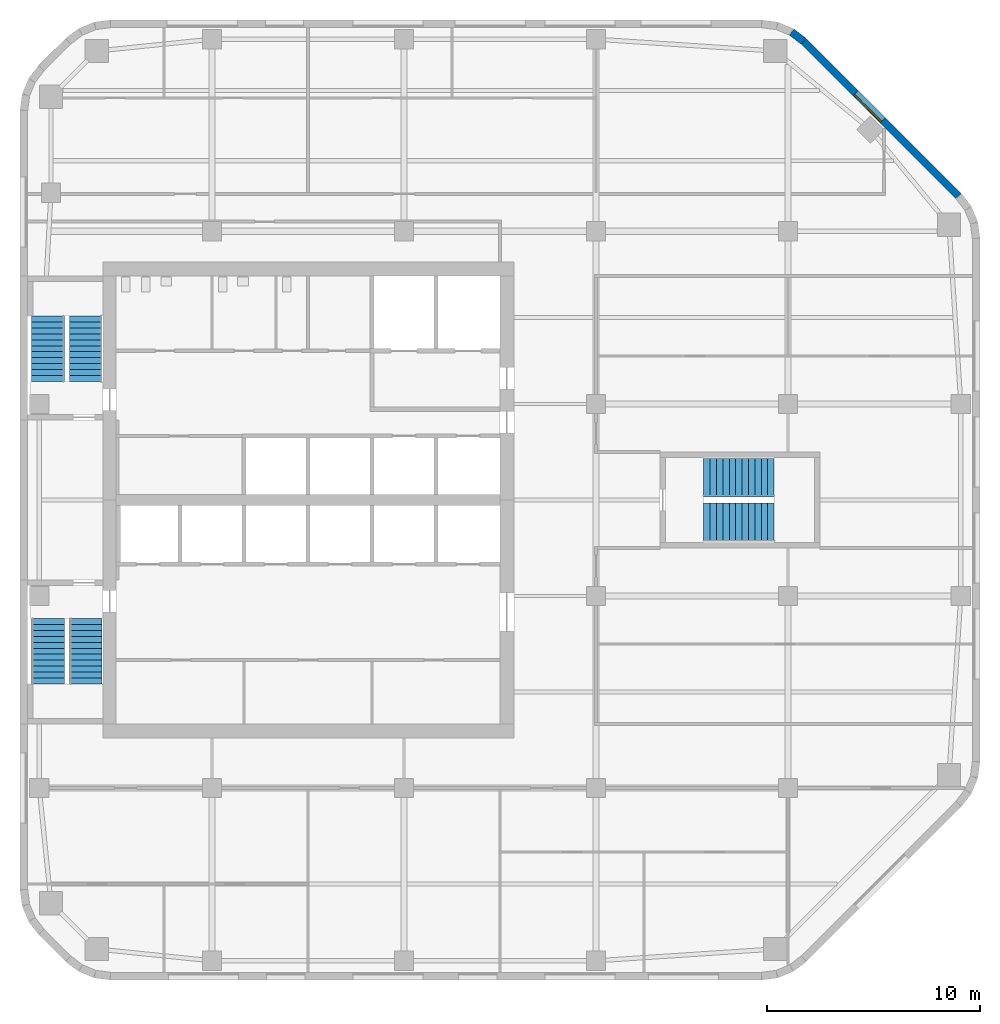
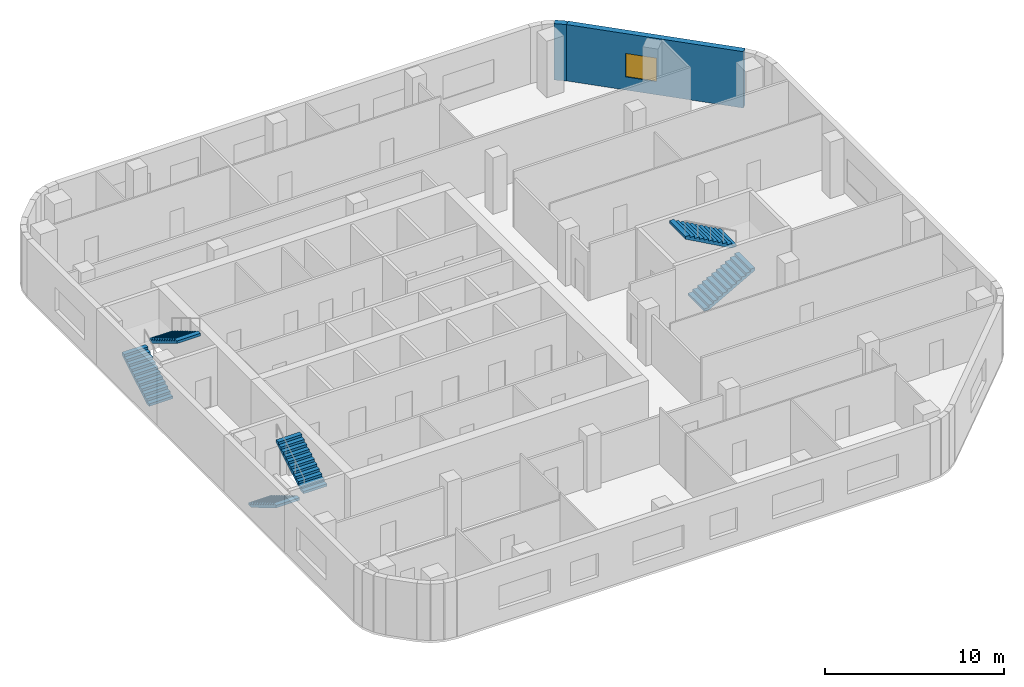
# One storey, part 6 of 8: 6 stair flights, 2 walls, 1 window, 1 opening, 3 elements without a shape of their own.
"""IFC4 building model written with IfcOpenShell, lengths in metres."""

from ifc_helpers import new_model, si_unit, direction, frame, frame_2d, origin, place, context, subcontext, project, spatial, polyline, rectangle, outline, extrude, material, layer, layer_set, type_object, element, fill, aggregate, save


model = new_model("IFC4")

# Units and contexts
model_context = context("Model", 3, precision=1e-05, world=origin(), true_north=direction((0.0, 1.0)))
body_context = subcontext(model_context, "Body", "Model", "MODEL_VIEW")
ifc_project = project(units=[si_unit("LENGTHUNIT", "METRE"), si_unit("AREAUNIT", "SQUARE_METRE"), si_unit("VOLUMEUNIT", "CUBIC_METRE"), si_unit("PLANEANGLEUNIT", "RADIAN"), si_unit("MASSUNIT", "GRAM", prefix="KILO")], contexts=[model_context])

# Site, building, storey
site_placement = place(None, origin())
site = spatial("IfcSite", under=ifc_project, at=site_placement, CompositionType="ELEMENT")
building_placement = place(site_placement, origin())
building = spatial("IfcBuilding", under=site, at=building_placement, Name="Cinnabar Reach Civic Tower", CompositionType="ELEMENT")
storey_placement = place(building_placement, frame((0.0, 0.0, 157.0)))
storey = spatial("IfcBuildingStorey", under=building, at=storey_placement, Name="L37", CompositionType="ELEMENT", Elevation=157.0)

# Wall
ifc_material_1 = material(Name="Facing brick with insulated backing", Category="masonry")
ifc_layer_1 = layer(ifc_material_1, 0.36)
ifc_layer_set_1 = layer_set([ifc_layer_1], Name="Brick corner wall")
wall_type_1 = type_object("IfcWallType", Name="Brick corner wall", PredefinedType="STANDARD", material=ifc_layer_set_1)
wall_1_placement = place(storey_placement, frame((36.7413, 52.9998, 0.0), z_axis=(0.0, 0.0, 1.0), x_axis=(-0.793321924995, 0.608802368033, 0.0)))
element("IfcWall", 1, at=wall_1_placement, inside=storey, type_object=wall_type_1, Name="Brick corner wall", PredefinedType="STANDARD", context=body_context, shape_type="SweptSolid", body=[
    extrude(rectangle(XDim=0.7132, YDim=0.36, at=frame_2d((0.3566, 0.0))), origin(), (0.0, 0.0, 1.0), 3.85),
])

# Wall, opening, window
ifc_layer_2 = layer(ifc_material_1, 0.36)
ifc_layer_set_2 = layer_set([ifc_layer_2], Name="Brick pier and spandrel wall")
wall_type_2 = type_object("IfcWallType", Name="Brick pier and spandrel wall", PredefinedType="STANDARD", material=ifc_layer_set_2)
wall_2_placement = place(storey_placement, frame((43.994, 45.7514, 0.0), z_axis=(0.0, 0.0, 1.0), x_axis=(-0.707106781187, 0.707106781187, 0.0)))
wall_2 = element("IfcWall", 2, at=wall_2_placement, inside=storey, type_object=wall_type_2, Name="Brick facade wall", PredefinedType="STANDARD", context=body_context, shape_type="SweptSolid", body=[
    extrude(rectangle(XDim=10.2426, YDim=0.36, at=frame_2d((5.1213, 0.0))), origin(), (0.0, 0.0, 1.0), 3.85),
])
opening_placement = place(wall_2_placement, frame((5.0213, 0.0, 0.9)))
opening = element("IfcOpeningElement", 3, at=opening_placement, cuts=wall_2, Name="Opening W1772", PredefinedType="OPENING", context=body_context, shape_type="SweptSolid", body=[
    extrude(rectangle(XDim=1.8, YDim=1.6, at=frame_2d((0.9, 0.8))), frame((0.0, 0.19, 0.0), z_axis=(0.0, -1.0, 0.0), x_axis=(1.0, 0.0, 0.0)), (0.0, 0.0, 1.0), 0.38),
])
ifc_material_2 = material(Name="Clear double glazing in aluminium frame", Category="aluminium")
window_type = type_object("IfcWindowType", Name="Deep-set window D", PartitioningType="SINGLE_PANEL", PredefinedType="WINDOW", material=ifc_material_2)
window_placement = place(opening_placement, origin())
window = element("IfcWindow", 4, at=window_placement, inside=storey, type_object=window_type, Name="Window northeast face", OverallHeight=1.6, OverallWidth=1.8, PartitioningType="SINGLE_PANEL", PredefinedType="WINDOW", context=body_context, shape_type="SweptSolid", body=[
    extrude(rectangle(XDim=1.8, YDim=1.6, at=frame_2d((0.9, 0.8))), frame((0.0, 0.13, 0.0), z_axis=(0.0, -1.0, 0.0), x_axis=(1.0, 0.0, 0.0)), (0.0, 0.0, 1.0), 0.06),
])
fill(opening, window)

# Stair, stair flights
ifc_material_3 = material(Name="Concrete C40/50", Category="concrete")
stair_type = type_object("IfcStairType", Name="T1 Exit stair, half-turn", PredefinedType="HALF_TURN_STAIR", material=ifc_material_3)
stair_1_placement = place(storey_placement, origin())
stair_1 = element("IfcStair", 5, at=stair_1_placement, inside=storey, type_object=stair_type, Name="Stair T1-S1", PredefinedType="HALF_TURN_STAIR")
stair_flight_type = type_object("IfcStairFlightType", Name="T1 Stair flight, concrete", PredefinedType="STRAIGHT", material=ifc_material_3)
stair_flight_1_placement = place(storey_placement, frame((1.3125, 25.95, 0.0), z_axis=(0.0, 0.0, 1.0), x_axis=(0.0, -1.0, 0.0)))
stair_flight_1 = element("IfcStairFlight", 6, at=stair_flight_1_placement, type_object=stair_flight_type, Name="T1-S1 flight 1", NumberOfRisers=12, NumberOfTreads=11, PredefinedType="STRAIGHT", RiserHeight=0.166666667, TreadLength=0.28, context=body_context, shape_type="SweptSolid", body=[
    extrude(outline(polyline([(0.0, 0.0), (0.0, 0.1667), (0.28, 0.1667), (0.28, 0.3333), (0.56, 0.3333), (0.56, 0.5), (0.84, 0.5), (0.84, 0.6667), (1.12, 0.6667), (1.12, 0.8333), (1.4, 0.8333), (1.4, 1.0), (1.68, 1.0), (1.68, 1.1667), (1.96, 1.1667), (1.96, 1.3333), (2.24, 1.3333), (2.24, 1.5), (2.52, 1.5), (2.52, 1.6667), (2.8, 1.6667), (2.8, 1.8333), (3.08, 1.8333), (3.08, 2.0), (3.08, 1.6588), (0.2933, 0.0), (0.0, 0.0)])), frame((0.0, 0.7625, 0.0), z_axis=(0.0, -1.0, 0.0), x_axis=(1.0, 0.0, 0.0)), (0.0, 0.0, 1.0), 1.525),
])
stair_flight_2_placement = place(storey_placement, frame((3.0875, 22.87, 2.0), z_axis=(0.0, 0.0, 1.0), x_axis=(0.0, 1.0, 0.0)))
stair_flight_2 = element("IfcStairFlight", 7, at=stair_flight_2_placement, type_object=stair_flight_type, Name="T1-S1 flight 2", NumberOfRisers=12, NumberOfTreads=11, PredefinedType="STRAIGHT", RiserHeight=0.166666667, TreadLength=0.28, context=body_context, shape_type="SweptSolid", body=[
    extrude(outline(polyline([(0.0, 0.0), (0.0, 0.1667), (0.28, 0.1667), (0.28, 0.3333), (0.56, 0.3333), (0.56, 0.5), (0.84, 0.5), (0.84, 0.6667), (1.12, 0.6667), (1.12, 0.8333), (1.4, 0.8333), (1.4, 1.0), (1.68, 1.0), (1.68, 1.1667), (1.96, 1.1667), (1.96, 1.3333), (2.24, 1.3333), (2.24, 1.5), (2.52, 1.5), (2.52, 1.6667), (2.8, 1.6667), (2.8, 1.8333), (3.08, 1.8333), (3.08, 2.0), (3.08, 1.6588), (0.2933, 0.0), (0.0, 0.0)])), frame((0.0, 0.7625, 0.0), z_axis=(0.0, -1.0, 0.0), x_axis=(1.0, 0.0, 0.0)), (0.0, 0.0, 1.0), 1.525),
])
aggregate(stair_1, [stair_flight_1, stair_flight_2])

stair_2_placement = place(storey_placement, origin())
stair_2 = element("IfcStair", 8, at=stair_2_placement, inside=storey, type_object=stair_type, Name="Stair T1-S2", PredefinedType="HALF_TURN_STAIR")
stair_flight_3_placement = place(storey_placement, frame((1.3125, 37.05, 0.0), z_axis=(0.0, 0.0, 1.0), x_axis=(0.0, 1.0, 0.0)))
stair_flight_3 = element("IfcStairFlight", 9, at=stair_flight_3_placement, type_object=stair_flight_type, Name="T1-S2 flight 1", NumberOfRisers=12, NumberOfTreads=11, PredefinedType="STRAIGHT", RiserHeight=0.166666667, TreadLength=0.28, context=body_context, shape_type="SweptSolid", body=[
    extrude(outline(polyline([(0.0, 0.0), (0.0, 0.1667), (0.28, 0.1667), (0.28, 0.3333), (0.56, 0.3333), (0.56, 0.5), (0.84, 0.5), (0.84, 0.6667), (1.12, 0.6667), (1.12, 0.8333), (1.4, 0.8333), (1.4, 1.0), (1.68, 1.0), (1.68, 1.1667), (1.96, 1.1667), (1.96, 1.3333), (2.24, 1.3333), (2.24, 1.5), (2.52, 1.5), (2.52, 1.6667), (2.8, 1.6667), (2.8, 1.8333), (3.08, 1.8333), (3.08, 2.0), (3.08, 1.6588), (0.2933, 0.0), (0.0, 0.0)])), frame((0.0, 0.7625, 0.0), z_axis=(0.0, -1.0, 0.0), x_axis=(1.0, 0.0, 0.0)), (0.0, 0.0, 1.0), 1.525),
])
stair_flight_4_placement = place(storey_placement, frame((3.0875, 40.13, 2.0), z_axis=(0.0, 0.0, 1.0), x_axis=(0.0, -1.0, 0.0)))
stair_flight_4 = element("IfcStairFlight", 10, at=stair_flight_4_placement, type_object=stair_flight_type, Name="T1-S2 flight 2", NumberOfRisers=12, NumberOfTreads=11, PredefinedType="STRAIGHT", RiserHeight=0.166666667, TreadLength=0.28, context=body_context, shape_type="SweptSolid", body=[
    extrude(outline(polyline([(0.0, 0.0), (0.0, 0.1667), (0.28, 0.1667), (0.28, 0.3333), (0.56, 0.3333), (0.56, 0.5), (0.84, 0.5), (0.84, 0.6667), (1.12, 0.6667), (1.12, 0.8333), (1.4, 0.8333), (1.4, 1.0), (1.68, 1.0), (1.68, 1.1667), (1.96, 1.1667), (1.96, 1.3333), (2.24, 1.3333), (2.24, 1.5), (2.52, 1.5), (2.52, 1.6667), (2.8, 1.6667), (2.8, 1.8333), (3.08, 1.8333), (3.08, 2.0), (3.08, 1.6588), (0.2933, 0.0), (0.0, 0.0)])), frame((0.0, 0.7625, 0.0), z_axis=(0.0, -1.0, 0.0), x_axis=(1.0, 0.0, 0.0)), (0.0, 0.0, 1.0), 1.525),
])
aggregate(stair_2, [stair_flight_3, stair_flight_4])

stair_3_placement = place(storey_placement, origin())
stair_3 = element("IfcStair", 11, at=stair_3_placement, inside=storey, type_object=stair_type, Name="Stair T1-S3", PredefinedType="HALF_TURN_STAIR")
stair_flight_5_placement = place(storey_placement, frame((32.05, 30.45, 0.0), z_axis=(0.0, 0.0, 1.0), x_axis=(1.0, 0.0, 0.0)))
stair_flight_5 = element("IfcStairFlight", 12, at=stair_flight_5_placement, type_object=stair_flight_type, Name="T1-S3 flight 1", NumberOfRisers=12, NumberOfTreads=11, PredefinedType="STRAIGHT", RiserHeight=0.166666667, TreadLength=0.3, context=body_context, shape_type="SweptSolid", body=[
    extrude(outline(polyline([(0.0, 0.0), (0.0, 0.1667), (0.3, 0.1667), (0.3, 0.3333), (0.6, 0.3333), (0.6, 0.5), (0.9, 0.5), (0.9, 0.6667), (1.2, 0.6667), (1.2, 0.8333), (1.5, 0.8333), (1.5, 1.0), (1.8, 1.0), (1.8, 1.1667), (2.1, 1.1667), (2.1, 1.3333), (2.4, 1.3333), (2.4, 1.5), (2.7, 1.5), (2.7, 1.6667), (3.0, 1.6667), (3.0, 1.8333), (3.3, 1.8333), (3.3, 2.0), (3.3, 1.6617), (0.3089, 0.0), (0.0, 0.0)])), frame((0.0, 0.9, 0.0), z_axis=(0.0, -1.0, 0.0), x_axis=(1.0, 0.0, 0.0)), (0.0, 0.0, 1.0), 1.8),
])
stair_flight_6_placement = place(storey_placement, frame((35.35, 32.55, 2.0), z_axis=(0.0, 0.0, 1.0), x_axis=(-1.0, 0.0, 0.0)))
stair_flight_6 = element("IfcStairFlight", 13, at=stair_flight_6_placement, type_object=stair_flight_type, Name="T1-S3 flight 2", NumberOfRisers=12, NumberOfTreads=11, PredefinedType="STRAIGHT", RiserHeight=0.166666667, TreadLength=0.3, context=body_context, shape_type="SweptSolid", body=[
    extrude(outline(polyline([(0.0, 0.0), (0.0, 0.1667), (0.3, 0.1667), (0.3, 0.3333), (0.6, 0.3333), (0.6, 0.5), (0.9, 0.5), (0.9, 0.6667), (1.2, 0.6667), (1.2, 0.8333), (1.5, 0.8333), (1.5, 1.0), (1.8, 1.0), (1.8, 1.1667), (2.1, 1.1667), (2.1, 1.3333), (2.4, 1.3333), (2.4, 1.5), (2.7, 1.5), (2.7, 1.6667), (3.0, 1.6667), (3.0, 1.8333), (3.3, 1.8333), (3.3, 2.0), (3.3, 1.6617), (0.3089, 0.0), (0.0, 0.0)])), frame((0.0, 0.9, 0.0), z_axis=(0.0, -1.0, 0.0), x_axis=(1.0, 0.0, 0.0)), (0.0, 0.0, 1.0), 1.8),
])
aggregate(stair_3, [stair_flight_5, stair_flight_6])

save(model, "model.ifc")
